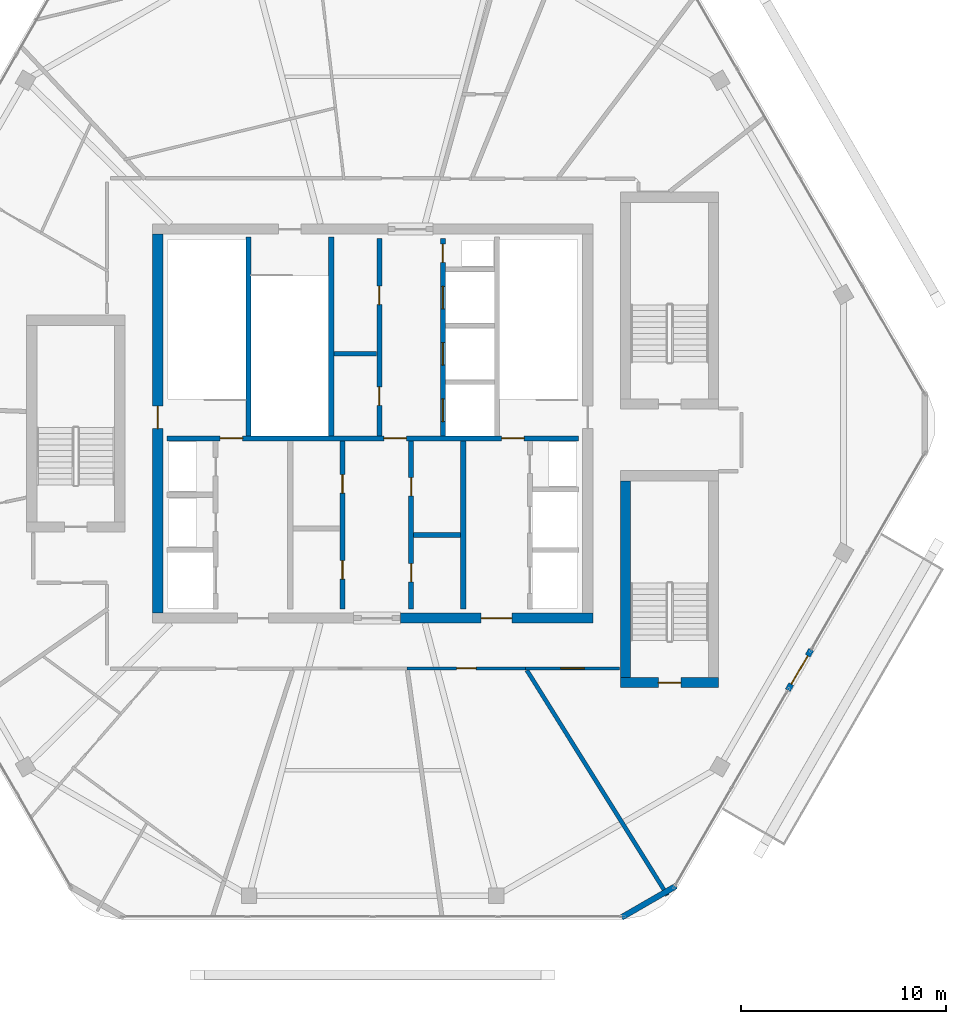
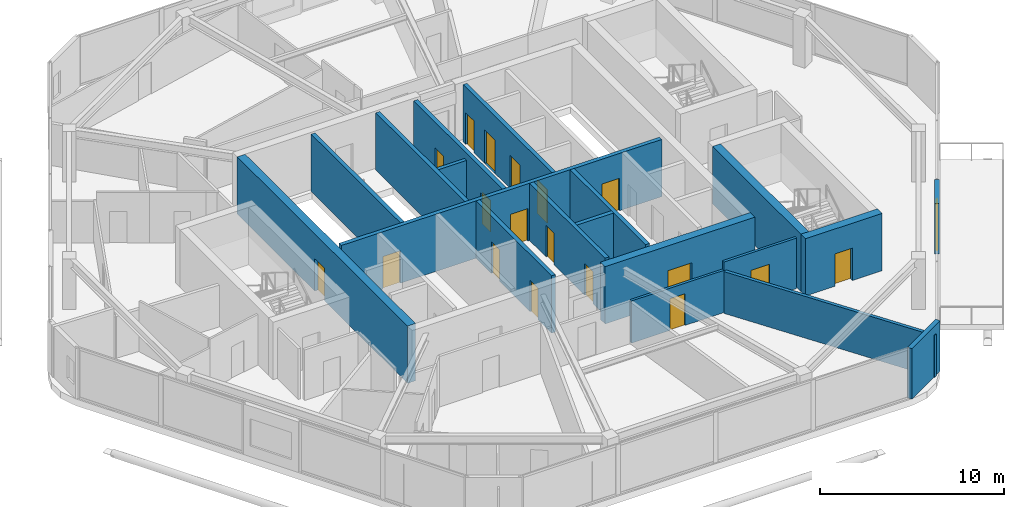
# One storey, part 17 of 22: 19 doors, 19 walls, 19 openings.
"""IFC4 building model written with IfcOpenShell, lengths in metres."""

from ifc_helpers import new_model, si_unit, direction, frame, frame_2d, origin, place, context, subcontext, project, spatial, rectangle, extrude, material, layer, layer_set, type_object, element, fill, save


model = new_model("IFC4")

# Units and contexts
model_context = context("Model", 3, precision=1e-05, world=origin(), true_north=direction((0.0, 1.0)))
body_context = subcontext(model_context, "Body", "Model", "MODEL_VIEW")
ifc_project = project(units=[si_unit("LENGTHUNIT", "METRE"), si_unit("AREAUNIT", "SQUARE_METRE"), si_unit("VOLUMEUNIT", "CUBIC_METRE"), si_unit("PLANEANGLEUNIT", "RADIAN"), si_unit("MASSUNIT", "GRAM", prefix="KILO")], contexts=[model_context])

# Site, building, storey
site_placement = place(None, origin())
site = spatial("IfcSite", under=ifc_project, at=site_placement, CompositionType="ELEMENT")
building_placement = place(site_placement, origin())
building = spatial("IfcBuilding", under=site, at=building_placement, Name="Zuhravey Tower", CompositionType="ELEMENT")
storey_placement = place(building_placement, frame((0.0, 0.0, 357.60009765625)))
storey = spatial("IfcBuildingStorey", under=building, at=storey_placement, Name="L91", CompositionType="ELEMENT", Elevation=357.60009765625)

# Wall, opening, door
ifc_material_1 = material(Name="Concrete C50/60", Category="concrete")
ifc_layer_1 = layer(ifc_material_1, 0.5)
ifc_layer_set_1 = layer_set([ifc_layer_1], Name="Concrete C50/60")
wall_type_1 = type_object("IfcWallType", Name="Core Shear Wall 500", PredefinedType="SHEAR", material=ifc_layer_set_1)
wall_1_placement = place(storey_placement, frame((37.35009765625, 22.5, 0.0), z_axis=(0.0, 0.0, 1.0), x_axis=(1.0, 0.0, 0.0)))
wall_1 = element("IfcWall", 1, at=wall_1_placement, inside=storey, type_object=wall_type_1, Name="L91 South-East Core Shear Wall CW50", PredefinedType="SHEAR", context=body_context, shape_type="SweptSolid", body=[
    extrude(rectangle(XDim=9.39990234375, YDim=0.5, at=frame_2d((4.699951171875, 0.0))), origin(), (0.0, 0.0, 1.0), 3.7998046875),
])
opening_1_placement = place(wall_1_placement, frame((3.949951171875, 0.0, 0.0)))
opening_1 = element("IfcOpeningElement", 2, at=opening_1_placement, cuts=wall_1, Name="Opening FFD1", PredefinedType="OPENING", context=body_context, shape_type="SweptSolid", body=[
    extrude(rectangle(XDim=1.5, YDim=2.14990234375, at=frame_2d((0.75, 1.074951171875))), frame((0.0, 0.261962890625, 0.0), z_axis=(0.0, -1.0, 0.0), x_axis=(1.0, 0.0, 0.0)), (0.0, 0.0, 1.0), 0.52392578125),
])
ifc_material_2 = material(Name="Galvanised fire-rated steel leaf", Category="steel")
door_type_1 = type_object("IfcDoorType", Name="Firefighting Lobby Double Door 1500x2150", OperationType="DOUBLE_DOOR_SINGLE_SWING", PredefinedType="DOOR", material=ifc_material_2)
door_1_placement = place(opening_1_placement, origin())
door_1 = element("IfcDoor", 3, at=door_1_placement, inside=storey, type_object=door_type_1, Name="L91 Firefighting Lobby East Door", OperationType="DOUBLE_DOOR_SINGLE_SWING", OverallHeight=2.14990234375, OverallWidth=1.5, PredefinedType="DOOR", context=body_context, shape_type="SweptSolid", body=[
    extrude(rectangle(XDim=1.5, YDim=2.14990234375, at=frame_2d((0.75, 1.074951171875))), frame((0.0, 0.02490234375, 0.0), z_axis=(0.0, -1.0, 0.0), x_axis=(1.0, 0.0, 0.0)), (0.0, 0.0, 1.0), 0.050048828125),
])
fill(opening_1, door_1)

wall_2_placement = place(storey_placement, frame((25.5, 22.75, 0.0), z_axis=(0.0, 0.0, 1.0), x_axis=(0.0, 1.0, 0.0)))
wall_2 = element("IfcWall", 4, at=wall_2_placement, inside=storey, type_object=wall_type_1, Name="L91 West Core Shear Wall CW50", PredefinedType="SHEAR", context=body_context, shape_type="SweptSolid", body=[
    extrude(rectangle(XDim=18.5, YDim=0.5, at=frame_2d((9.25, 0.0))), origin(), (0.0, 0.0, 1.0), 3.7998046875),
])
opening_2_placement = place(wall_2_placement, frame((9.0, 0.0, 0.0)))
opening_2 = element("IfcOpeningElement", 5, at=opening_2_placement, cuts=wall_2, Name="Opening STD1", PredefinedType="OPENING", context=body_context, shape_type="SweptSolid", body=[
    extrude(rectangle(XDim=1.10009765625, YDim=2.14990234375, at=frame_2d((0.550048828125, 1.074951171875))), frame((0.0, 0.261962890625, 0.0), z_axis=(0.0, -1.0, 0.0), x_axis=(1.0, 0.0, 0.0)), (0.0, 0.0, 1.0), 0.52392578125),
])
door_type_2 = type_object("IfcDoorType", Name="Protected Stair Fire Door 1100x2150", OperationType="NOTDEFINED", PredefinedType="USERDEFINED", material=ifc_material_2)
door_2_placement = place(opening_2_placement, frame((1.10009765625, 0.0, 0.0), z_axis=(0.0, 0.0, 1.0), x_axis=(-1.0, 0.0, 0.0)))
door_2 = element("IfcDoor", 6, at=door_2_placement, inside=storey, type_object=door_type_2, Name="L91 Stair ST1 Door", ObjectType="EXITDOOR", OperationType="SINGLE_SWING_RIGHT", OverallHeight=2.14990234375, OverallWidth=1.10009765625, PredefinedType="USERDEFINED", context=body_context, shape_type="SweptSolid", body=[
    extrude(rectangle(XDim=1.10009765625, YDim=2.14990234375, at=frame_2d((0.550048828125, 1.074951171875))), frame((0.0, 0.02490234375, 0.0), z_axis=(0.0, -1.0, 0.0), x_axis=(1.0, 0.0, 0.0)), (0.0, 0.0, 1.0), 0.050048828125),
])
fill(opening_2, door_2)

wall_3_placement = place(storey_placement, frame((48.10009765625, 19.35009765625, 0.0), z_axis=(0.0, 0.0, 1.0), x_axis=(1.0, 0.0, 0.0)))
wall_3 = element("IfcWall", 7, at=wall_3_placement, inside=storey, type_object=wall_type_1, Name="L91 CST2 South Shaft Wall", PredefinedType="SHEAR", context=body_context, shape_type="SweptSolid", body=[
    extrude(rectangle(XDim=4.7998046875, YDim=0.5, at=frame_2d((2.39990234375, 0.0))), origin(), (0.0, 0.0, 1.0), 3.7998046875),
])
opening_3_placement = place(wall_3_placement, frame((1.85009765625, 0.0, 0.0)))
opening_3 = element("IfcOpeningElement", 8, at=opening_3_placement, cuts=wall_3, Name="Opening STD1", PredefinedType="OPENING", context=body_context, shape_type="SweptSolid", body=[
    extrude(rectangle(XDim=1.10009765625, YDim=2.14990234375, at=frame_2d((0.550048828125, 1.074951171875))), frame((0.0, 0.261962890625, 0.0), z_axis=(0.0, -1.0, 0.0), x_axis=(1.0, 0.0, 0.0)), (0.0, 0.0, 1.0), 0.52392578125),
])
door_3_placement = place(opening_3_placement, origin())
door_3 = element("IfcDoor", 9, at=door_3_placement, inside=storey, type_object=door_type_2, Name="L91 CST2 Transfer Door", ObjectType="EXITDOOR", OperationType="SINGLE_SWING_RIGHT", OverallHeight=2.14990234375, OverallWidth=1.10009765625, PredefinedType="USERDEFINED", context=body_context, shape_type="SweptSolid", body=[
    extrude(rectangle(XDim=1.10009765625, YDim=2.14990234375, at=frame_2d((0.550048828125, 1.074951171875))), frame((0.0, 0.02490234375, 0.0), z_axis=(0.0, -1.0, 0.0), x_axis=(1.0, 0.0, 0.0)), (0.0, 0.0, 1.0), 0.050048828125),
])
fill(opening_3, door_3)

# Wall
wall_4_placement = place(storey_placement, frame((48.35009765625, 19.60009765625, 0.0), z_axis=(0.0, 0.0, 1.0), x_axis=(0.0, 1.0, 0.0)))
element("IfcWall", 10, at=wall_4_placement, inside=storey, type_object=wall_type_1, Name="L91 CST2 West Shaft Wall", PredefinedType="SHEAR", context=body_context, shape_type="SweptSolid", body=[
    extrude(rectangle(XDim=9.599853515625, YDim=0.5, at=frame_2d((4.7998046875, 0.0))), origin(), (0.0, 0.0, 1.0), 3.7998046875),
])

# Wall, opening, door
ifc_material_3 = material(Name="Gypsum fire-rated stud partition")
ifc_layer_2 = layer(ifc_material_3, 0.159912109375)
ifc_layer_set_2 = layer_set([ifc_layer_2], Name="Gypsum fire-rated stud partition")
wall_type_2 = type_object("IfcWallType", Name="Corridor Fire Partition 160", PredefinedType="PARTITIONING", material=ifc_layer_set_2)
wall_5_placement = place(storey_placement, frame((43.473388671875, 20.0400390625, 0.0), z_axis=(0.0, 0.0, 1.0), x_axis=(1.0, 0.0, 0.0)))
wall_5 = element("IfcWall", 11, at=wall_5_placement, inside=storey, type_object=wall_type_2, Name="L91 IW16 Partition 021", PredefinedType="PARTITIONING", context=body_context, shape_type="SweptSolid", body=[
    extrude(rectangle(XDim=4.57666015625, YDim=0.159912109375, at=frame_2d((2.288330078125, 0.0))), origin(), (0.0, 0.0, 1.0), 3.349853515625),
])
opening_4_placement = place(wall_5_placement, frame((1.71337890625, 0.0, 0.0)))
opening_4 = element("IfcOpeningElement", 12, at=opening_4_placement, cuts=wall_5, Name="Opening CLD1", PredefinedType="OPENING", context=body_context, shape_type="SweptSolid", body=[
    extrude(rectangle(XDim=1.14990234375, YDim=2.199951171875, at=frame_2d((0.574951171875, 1.10009765625))), frame((0.0, 0.092041015625, 0.0), z_axis=(0.0, -1.0, 0.0), x_axis=(1.0, 0.0, 0.0)), (0.0, 0.0, 1.0), 0.183837890625),
])
ifc_material_4 = material(Name="Acoustic timber leaf with vision lite", Category="wood")
door_type_3 = type_object("IfcDoorType", Name="Classroom Acoustic Door 1150x2200", OperationType="NOTDEFINED", PredefinedType="DOOR", material=ifc_material_4)
door_4_placement = place(opening_4_placement, origin())
door_4 = element("IfcDoor", 13, at=door_4_placement, inside=storey, type_object=door_type_3, Name="L91 Door 021.1", OperationType="SINGLE_SWING_LEFT", OverallHeight=2.199951171875, OverallWidth=1.14990234375, PredefinedType="DOOR", context=body_context, shape_type="SweptSolid", body=[
    extrude(rectangle(XDim=1.14990234375, YDim=2.199951171875, at=frame_2d((0.574951171875, 1.10009765625))), frame((0.0, 0.02490234375, 0.0), z_axis=(0.0, -1.0, 0.0), x_axis=(1.0, 0.0, 0.0)), (0.0, 0.0, 1.0), 0.050048828125),
])
fill(opening_4, door_4)

wall_6_placement = place(storey_placement, frame((37.680908203125, 20.0400390625, 0.0), z_axis=(0.0, 0.0, 1.0), x_axis=(1.0, 0.0, 0.0)))
wall_6 = element("IfcWall", 14, at=wall_6_placement, inside=storey, type_object=wall_type_2, Name="L91 IW16 Partition 044", PredefinedType="PARTITIONING", context=body_context, shape_type="SweptSolid", body=[
    extrude(rectangle(XDim=5.79248046875, YDim=0.159912109375, at=frame_2d((2.896240234375, 0.0))), origin(), (0.0, 0.0, 1.0), 2.7998046875),
])
opening_5_placement = place(wall_6_placement, frame((2.421142578125, 0.0, 0.0)))
opening_5 = element("IfcOpeningElement", 15, at=opening_5_placement, cuts=wall_6, Name="Opening IND1", PredefinedType="OPENING", context=body_context, shape_type="SweptSolid", body=[
    extrude(rectangle(XDim=0.949951171875, YDim=2.10009765625, at=frame_2d((0.47509765625, 1.050048828125))), frame((0.0, 0.092041015625, 0.0), z_axis=(0.0, -1.0, 0.0), x_axis=(1.0, 0.0, 0.0)), (0.0, 0.0, 1.0), 0.183837890625),
])
ifc_material_5 = material(Name="Painted engineered timber leaf", Category="wood")
door_type_4 = type_object("IfcDoorType", Name="Internal Room & Bedroom Door 950x2100", OperationType="NOTDEFINED", PredefinedType="DOOR", material=ifc_material_5)
door_5_placement = place(opening_5_placement, frame((0.949951171875, 0.0, 0.0), z_axis=(0.0, 0.0, 1.0), x_axis=(-1.0, 0.0, 0.0)))
door_5 = element("IfcDoor", 16, at=door_5_placement, inside=storey, type_object=door_type_4, Name="L91 Door 044.1", OperationType="SINGLE_SWING_LEFT", OverallHeight=2.10009765625, OverallWidth=0.949951171875, PredefinedType="DOOR", context=body_context, shape_type="SweptSolid", body=[
    extrude(rectangle(XDim=0.949951171875, YDim=2.10009765625, at=frame_2d((0.47509765625, 1.050048828125))), frame((0.0, 0.02490234375, 0.0), z_axis=(0.0, -1.0, 0.0), x_axis=(1.0, 0.0, 0.0)), (0.0, 0.0, 1.0), 0.050048828125),
])
fill(opening_5, door_5)

ifc_material_6 = material(Name="Precast concrete C40/50", Category="concrete")
ifc_layer_3 = layer(ifc_material_6, 0.280029296875)
ifc_layer_set_3 = layer_set([ifc_layer_3], Name="Precast concrete C40/50")
wall_type_3 = type_object("IfcWallType", Name="Crown Architectural Wall 280", PredefinedType="SOLIDWALL", material=ifc_layer_set_3)
wall_7_placement = place(storey_placement, frame((57.42138671875, 20.95458984375, 0.0), z_axis=(0.0, 0.0, 1.0), x_axis=(-0.499968531483, -0.866043571379, 0.0)))
wall_7 = element("IfcWall", 17, at=wall_7_placement, inside=storey, type_object=wall_type_3, Name="L91 Face 6 Facade Pier EW28-1", PredefinedType="SOLIDWALL", context=body_context, shape_type="SweptSolid", body=[
    extrude(rectangle(XDim=2.290283203125, YDim=0.280029296875, at=frame_2d((1.14501953125, 0.0))), origin(), (0.0, 0.0, 1.0), 3.349853515625),
])
opening_6_placement = place(wall_7_placement, frame((0.344970703125, 0.0, 0.0)))
opening_6 = element("IfcOpeningElement", 18, at=opening_6_placement, cuts=wall_7, Name="Opening SPD1", PredefinedType="OPENING", context=body_context, shape_type="SweptSolid", body=[
    extrude(rectangle(XDim=1.60009765625, YDim=2.300048828125, at=frame_2d((0.800048828125, 1.14990234375))), frame((0.0, 0.152099609375, 0.0), z_axis=(0.0, -1.0, 0.0), x_axis=(1.0, 0.0, 0.0)), (0.0, 0.0, 1.0), 0.303955078125),
])
ifc_material_7 = material(Name="Thermally broken aluminium and low-E glass", Category="aluminium")
door_type_5 = type_object("IfcDoorType", Name="Sky-Pool Terrace Double Door 1600x2300", OperationType="DOUBLE_DOOR_SINGLE_SWING", PredefinedType="DOOR", material=ifc_material_7)
door_6_placement = place(opening_6_placement, frame((1.60009765625, 0.0, 0.0), z_axis=(0.0, 0.0, 1.0), x_axis=(-1.0, 0.0, 0.0)))
door_6 = element("IfcDoor", 19, at=door_6_placement, inside=storey, type_object=door_type_5, Name="L91 Upper Sky-Pool Viewing Salon Terrace Door", OperationType="DOUBLE_DOOR_SINGLE_SWING", OverallHeight=2.300048828125, OverallWidth=1.60009765625, PredefinedType="DOOR", context=body_context, shape_type="SweptSolid", body=[
    extrude(rectangle(XDim=1.60009765625, YDim=2.300048828125, at=frame_2d((0.800048828125, 1.14990234375))), frame((0.0, 0.02490234375, 0.0), z_axis=(0.0, -1.0, 0.0), x_axis=(1.0, 0.0, 0.0)), (0.0, 0.0, 1.0), 0.050048828125),
])
fill(opening_6, door_6)

# Wall
wall_8_placement = place(storey_placement, frame((50.811279296875, 9.410888671875, 0.0), z_axis=(0.0, 0.0, 1.0), x_axis=(-0.866023752521, -0.50000286006, 0.0)))
element("IfcWall", 20, at=wall_8_placement, inside=storey, type_object=wall_type_3, Name="L91 Rounded Corner Closure Wall EW28-02", PredefinedType="SOLIDWALL", context=body_context, shape_type="SweptSolid", body=[
    extrude(rectangle(XDim=3.06494140625, YDim=0.280029296875, at=frame_2d((1.532470703125, 0.0))), origin(), (0.0, 0.0, 1.0), 3.349853515625),
])

# Wall, openings, doors
ifc_layer_4 = layer(ifc_material_1, 0.25)
ifc_layer_set_4 = layer_set([ifc_layer_4], Name="Concrete C50/60")
wall_type_4 = type_object("IfcWallType", Name="Firefighting Shaft & Stair Wall 250", PredefinedType="SOLIDWALL", material=ifc_layer_set_4)
wall_9_placement = place(storey_placement, frame((25.949951171875, 31.27490234375, 0.0), z_axis=(0.0, 0.0, 1.0), x_axis=(1.0, 0.0, 0.0)))
wall_9 = element("IfcWall", 21, at=wall_9_placement, inside=storey, type_object=wall_type_4, Name="L91 FW25 Shaft Wall 003", PredefinedType="SOLIDWALL", context=body_context, shape_type="SweptSolid", body=[
    extrude(rectangle(XDim=20.10009765625, YDim=0.25, at=frame_2d((10.050048828125, 0.0))), origin(), (0.0, 0.0, 1.0), 3.7998046875),
])
opening_7_placement = place(wall_9_placement, frame((2.60009765625, 0.0, 0.0)))
opening_7 = element("IfcOpeningElement", 22, at=opening_7_placement, cuts=wall_9, Name="Opening STD1", PredefinedType="OPENING", context=body_context, shape_type="SweptSolid", body=[
    extrude(rectangle(XDim=1.10009765625, YDim=2.14990234375, at=frame_2d((0.550048828125, 1.074951171875))), frame((0.0, 0.136962890625, 0.0), z_axis=(0.0, -1.0, 0.0), x_axis=(1.0, 0.0, 0.0)), (0.0, 0.0, 1.0), 0.27392578125),
])
opening_8_placement = place(wall_9_placement, frame((10.60009765625, 0.0, 0.0)))
opening_8 = element("IfcOpeningElement", 23, at=opening_8_placement, cuts=wall_9, Name="Opening STD1", PredefinedType="OPENING", context=body_context, shape_type="SweptSolid", body=[
    extrude(rectangle(XDim=1.10009765625, YDim=2.14990234375, at=frame_2d((0.550048828125, 1.074951171875))), frame((0.0, 0.136962890625, 0.0), z_axis=(0.0, -1.0, 0.0), x_axis=(1.0, 0.0, 0.0)), (0.0, 0.0, 1.0), 0.27392578125),
])
opening_9_placement = place(wall_9_placement, frame((16.35009765625, 0.0, 0.0)))
opening_9 = element("IfcOpeningElement", 24, at=opening_9_placement, cuts=wall_9, Name="Opening STD1", PredefinedType="OPENING", context=body_context, shape_type="SweptSolid", body=[
    extrude(rectangle(XDim=1.10009765625, YDim=2.14990234375, at=frame_2d((0.550048828125, 1.074951171875))), frame((0.0, 0.136962890625, 0.0), z_axis=(0.0, -1.0, 0.0), x_axis=(1.0, 0.0, 0.0)), (0.0, 0.0, 1.0), 0.27392578125),
])
door_7_placement = place(opening_7_placement, origin())
door_7 = element("IfcDoor", 25, at=door_7_placement, inside=storey, type_object=door_type_2, Name="L91 FFL-W to ST1 Door", ObjectType="EXITDOOR", OperationType="SINGLE_SWING_RIGHT", OverallHeight=2.14990234375, OverallWidth=1.10009765625, PredefinedType="USERDEFINED", context=body_context, shape_type="SweptSolid", body=[
    extrude(rectangle(XDim=1.10009765625, YDim=2.14990234375, at=frame_2d((0.550048828125, 1.074951171875))), frame((0.0, 0.02490234375, 0.0), z_axis=(0.0, -1.0, 0.0), x_axis=(1.0, 0.0, 0.0)), (0.0, 0.0, 1.0), 0.050048828125),
])
fill(opening_7, door_7)
door_8_placement = place(opening_8_placement, origin())
door_8 = element("IfcDoor", 26, at=door_8_placement, inside=storey, type_object=door_type_2, Name="L91 Core Lobby Link Door", ObjectType="EXITDOOR", OperationType="SINGLE_SWING_LEFT", OverallHeight=2.14990234375, OverallWidth=1.10009765625, PredefinedType="USERDEFINED", context=body_context, shape_type="SweptSolid", body=[
    extrude(rectangle(XDim=1.10009765625, YDim=2.14990234375, at=frame_2d((0.550048828125, 1.074951171875))), frame((0.0, 0.02490234375, 0.0), z_axis=(0.0, -1.0, 0.0), x_axis=(1.0, 0.0, 0.0)), (0.0, 0.0, 1.0), 0.050048828125),
])
fill(opening_8, door_8)
door_9_placement = place(opening_9_placement, origin())
door_9 = element("IfcDoor", 27, at=door_9_placement, inside=storey, type_object=door_type_2, Name="L91 FFL-E to ST2 Door", ObjectType="EXITDOOR", OperationType="SINGLE_SWING_RIGHT", OverallHeight=2.14990234375, OverallWidth=1.10009765625, PredefinedType="USERDEFINED", context=body_context, shape_type="SweptSolid", body=[
    extrude(rectangle(XDim=1.10009765625, YDim=2.14990234375, at=frame_2d((0.550048828125, 1.074951171875))), frame((0.0, 0.02490234375, 0.0), z_axis=(0.0, -1.0, 0.0), x_axis=(1.0, 0.0, 0.0)), (0.0, 0.0, 1.0), 0.050048828125),
])
fill(opening_9, door_9)

# Walls
for number, where, z_axis, x_axis, name in (
    (28, (29.925048828125, 31.39990234375, 0.0), (0.0, 0.0, 1.0), (0.0, 1.0, 0.0), "L91 FW25 Shaft Wall 004"),
    (29, (33.97509765625, 31.39990234375, 0.0), (0.0, 0.0, 1.0), (0.0, 1.0, 0.0), "L91 FW25 Shaft Wall 005"),
):
    element("IfcWall", number, at=place(storey_placement, frame(where, z_axis=z_axis, x_axis=x_axis)), inside=storey, type_object=wall_type_4, Name=name, PredefinedType="SOLIDWALL", context=body_context, shape_type="SweptSolid", body=[
        extrude(rectangle(XDim=9.7001953125, YDim=0.25, at=frame_2d((4.85009765625, 0.0))), origin(), (0.0, 0.0, 1.0), 3.7998046875),
    ])

# Wall, openings, doors
wall_10_placement = place(storey_placement, frame((36.324951171875, 31.39990234375, 0.0), z_axis=(0.0, 0.0, 1.0), x_axis=(0.0, 1.0, 0.0)))
wall_10 = element("IfcWall", 30, at=wall_10_placement, inside=storey, type_object=wall_type_4, Name="L91 FW25 Shaft Wall 007", PredefinedType="SOLIDWALL", context=body_context, shape_type="SweptSolid", body=[
    extrude(rectangle(XDim=9.650146484375, YDim=0.25, at=frame_2d((4.8251953125, 0.0))), origin(), (0.0, 0.0, 1.0), 3.7998046875),
])
opening_10_placement = place(wall_10_placement, frame((1.489990234375, 0.0, 0.0)))
opening_10 = element("IfcOpeningElement", 31, at=opening_10_placement, cuts=wall_10, Name="Opening RSD1", PredefinedType="OPENING", context=body_context, shape_type="SweptSolid", body=[
    extrude(rectangle(XDim=0.89990234375, YDim=2.10009765625, at=frame_2d((0.449951171875, 1.050048828125))), frame((0.0, 0.136962890625, 0.0), z_axis=(0.0, -1.0, 0.0), x_axis=(1.0, 0.0, 0.0)), (0.0, 0.0, 1.0), 0.27392578125),
])
opening_11_placement = place(wall_10_placement, frame((6.409912109375, 0.0, 0.0)))
opening_11 = element("IfcOpeningElement", 32, at=opening_11_placement, cuts=wall_10, Name="Opening RSD1", PredefinedType="OPENING", context=body_context, shape_type="SweptSolid", body=[
    extrude(rectangle(XDim=0.89990234375, YDim=2.10009765625, at=frame_2d((0.449951171875, 1.050048828125))), frame((0.0, 0.136962890625, 0.0), z_axis=(0.0, -1.0, 0.0), x_axis=(1.0, 0.0, 0.0)), (0.0, 0.0, 1.0), 0.27392578125),
])
ifc_material_8 = material(Name="Galvanised fire-rated steel access leaf", Category="steel")
door_type_6 = type_object("IfcDoorType", Name="Riser & Shaft Access Fire Door 900x2100", OperationType="NOTDEFINED", PredefinedType="DOOR", material=ifc_material_8)
door_10_placement = place(opening_10_placement, origin())
door_10 = element("IfcDoor", 33, at=door_10_placement, inside=storey, type_object=door_type_6, Name="L91 Core Cleaner Store Door", OperationType="SINGLE_SWING_LEFT", OverallHeight=2.10009765625, OverallWidth=0.89990234375, PredefinedType="DOOR", context=body_context, shape_type="SweptSolid", body=[
    extrude(rectangle(XDim=0.89990234375, YDim=2.10009765625, at=frame_2d((0.449951171875, 1.050048828125))), frame((0.0, 0.02490234375, 0.0), z_axis=(0.0, -1.0, 0.0), x_axis=(1.0, 0.0, 0.0)), (0.0, 0.0, 1.0), 0.050048828125),
])
fill(opening_10, door_10)
door_11_placement = place(opening_11_placement, origin())
door_11 = element("IfcDoor", 34, at=door_11_placement, inside=storey, type_object=door_type_6, Name="L91 Core Pantry and Tea Room Door", OperationType="SINGLE_SWING_RIGHT", OverallHeight=2.10009765625, OverallWidth=0.89990234375, PredefinedType="DOOR", context=body_context, shape_type="SweptSolid", body=[
    extrude(rectangle(XDim=0.89990234375, YDim=2.10009765625, at=frame_2d((0.449951171875, 1.050048828125))), frame((0.0, 0.02490234375, 0.0), z_axis=(0.0, -1.0, 0.0), x_axis=(1.0, 0.0, 0.0)), (0.0, 0.0, 1.0), 0.050048828125),
])
fill(opening_11, door_11)

wall_11_placement = place(storey_placement, frame((39.425048828125, 31.39990234375, 0.0), z_axis=(0.0, 0.0, 1.0), x_axis=(0.0, 1.0, 0.0)))
wall_11 = element("IfcWall", 35, at=wall_11_placement, inside=storey, type_object=wall_type_4, Name="L91 FW25 Shaft Wall 008", PredefinedType="SOLIDWALL", context=body_context, shape_type="SweptSolid", body=[
    extrude(rectangle(XDim=9.650146484375, YDim=0.25, at=frame_2d((4.8251953125, 0.0))), origin(), (0.0, 0.0, 1.0), 3.7998046875),
])
opening_12_placement = place(wall_11_placement, frame((0.699951171875, 0.0, 0.0)))
opening_12 = element("IfcOpeningElement", 36, at=opening_12_placement, cuts=wall_11, Name="Opening LD1", PredefinedType="OPENING", context=body_context, shape_type="SweptSolid", body=[
    extrude(rectangle(XDim=1.10009765625, YDim=2.199951171875, at=frame_2d((0.550048828125, 1.10009765625))), frame((0.0, 0.136962890625, 0.0), z_axis=(0.0, -1.0, 0.0), x_axis=(1.0, 0.0, 0.0)), (0.0, 0.0, 1.0), 0.27392578125),
])
opening_13_placement = place(wall_11_placement, frame((3.449951171875, 0.0, 0.0)))
opening_13 = element("IfcOpeningElement", 37, at=opening_13_placement, cuts=wall_11, Name="Opening LD1", PredefinedType="OPENING", context=body_context, shape_type="SweptSolid", body=[
    extrude(rectangle(XDim=1.10009765625, YDim=2.199951171875, at=frame_2d((0.550048828125, 1.10009765625))), frame((0.0, 0.136962890625, 0.0), z_axis=(0.0, -1.0, 0.0), x_axis=(1.0, 0.0, 0.0)), (0.0, 0.0, 1.0), 0.27392578125),
])
opening_14_placement = place(wall_11_placement, frame((6.199951171875, 0.0, 0.0)))
opening_14 = element("IfcOpeningElement", 38, at=opening_14_placement, cuts=wall_11, Name="Opening LD1", PredefinedType="OPENING", context=body_context, shape_type="SweptSolid", body=[
    extrude(rectangle(XDim=1.10009765625, YDim=2.199951171875, at=frame_2d((0.550048828125, 1.10009765625))), frame((0.0, 0.136962890625, 0.0), z_axis=(0.0, -1.0, 0.0), x_axis=(1.0, 0.0, 0.0)), (0.0, 0.0, 1.0), 0.27392578125),
])
opening_15_placement = place(wall_11_placement, frame((8.469970703125, 0.0, 0.0)))
opening_15 = element("IfcOpeningElement", 39, at=opening_15_placement, cuts=wall_11, Name="Opening RSD1", PredefinedType="OPENING", context=body_context, shape_type="SweptSolid", body=[
    extrude(rectangle(XDim=0.89990234375, YDim=2.10009765625, at=frame_2d((0.449951171875, 1.050048828125))), frame((0.0, 0.136962890625, 0.0), z_axis=(0.0, -1.0, 0.0), x_axis=(1.0, 0.0, 0.0)), (0.0, 0.0, 1.0), 0.27392578125),
])
ifc_material_9 = material(Name="Brushed stainless steel", Category="steel")
door_type_7 = type_object("IfcDoorType", Name="Lift Landing Sliding Door 1100x2200", OperationType="DOUBLE_DOOR_SLIDING", PredefinedType="DOOR", material=ifc_material_9)
door_12_placement = place(opening_12_placement, origin())
door_12 = element("IfcDoor", 40, at=door_12_placement, inside=storey, type_object=door_type_7, Name="L91 Lift PL7 Landing Door", OperationType="DOUBLE_DOOR_SLIDING", OverallHeight=2.199951171875, OverallWidth=1.10009765625, PredefinedType="DOOR", context=body_context, shape_type="SweptSolid", body=[
    extrude(rectangle(XDim=1.10009765625, YDim=2.199951171875, at=frame_2d((0.550048828125, 1.10009765625))), frame((0.0, 0.02490234375, 0.0), z_axis=(0.0, -1.0, 0.0), x_axis=(1.0, 0.0, 0.0)), (0.0, 0.0, 1.0), 0.050048828125),
])
fill(opening_12, door_12)
door_13_placement = place(opening_13_placement, origin())
door_13 = element("IfcDoor", 41, at=door_13_placement, inside=storey, type_object=door_type_7, Name="L91 Lift PL8 Landing Door", OperationType="DOUBLE_DOOR_SLIDING", OverallHeight=2.199951171875, OverallWidth=1.10009765625, PredefinedType="DOOR", context=body_context, shape_type="SweptSolid", body=[
    extrude(rectangle(XDim=1.10009765625, YDim=2.199951171875, at=frame_2d((0.550048828125, 1.10009765625))), frame((0.0, 0.02490234375, 0.0), z_axis=(0.0, -1.0, 0.0), x_axis=(1.0, 0.0, 0.0)), (0.0, 0.0, 1.0), 0.050048828125),
])
fill(opening_13, door_13)
door_14_placement = place(opening_14_placement, origin())
door_14 = element("IfcDoor", 42, at=door_14_placement, inside=storey, type_object=door_type_7, Name="L91 Lift PL9 Landing Door", OperationType="DOUBLE_DOOR_SLIDING", OverallHeight=2.199951171875, OverallWidth=1.10009765625, PredefinedType="DOOR", context=body_context, shape_type="SweptSolid", body=[
    extrude(rectangle(XDim=1.10009765625, YDim=2.199951171875, at=frame_2d((0.550048828125, 1.10009765625))), frame((0.0, 0.02490234375, 0.0), z_axis=(0.0, -1.0, 0.0), x_axis=(1.0, 0.0, 0.0)), (0.0, 0.0, 1.0), 0.050048828125),
])
fill(opening_14, door_14)
door_15_placement = place(opening_15_placement, origin())
door_15 = element("IfcDoor", 43, at=door_15_placement, inside=storey, type_object=door_type_6, Name="L91 North Riser Door", OperationType="SINGLE_SWING_LEFT", OverallHeight=2.10009765625, OverallWidth=0.89990234375, PredefinedType="DOOR", context=body_context, shape_type="SweptSolid", body=[
    extrude(rectangle(XDim=0.89990234375, YDim=2.10009765625, at=frame_2d((0.449951171875, 1.050048828125))), frame((0.0, 0.02490234375, 0.0), z_axis=(0.0, -1.0, 0.0), x_axis=(1.0, 0.0, 0.0)), (0.0, 0.0, 1.0), 0.050048828125),
])
fill(opening_15, door_15)

wall_12_placement = place(storey_placement, frame((34.52490234375, 22.949951171875, 0.0), z_axis=(0.0, 0.0, 1.0), x_axis=(0.0, 1.0, 0.0)))
wall_12 = element("IfcWall", 44, at=wall_12_placement, inside=storey, type_object=wall_type_4, Name="L91 FW25 Shaft Wall 014", PredefinedType="SOLIDWALL", context=body_context, shape_type="SweptSolid", body=[
    extrude(rectangle(XDim=8.199951171875, YDim=0.25, at=frame_2d((4.10009765625, 0.0))), origin(), (0.0, 0.0, 1.0), 3.7998046875),
])
opening_16_placement = place(wall_12_placement, frame((1.449951171875, 0.0, 0.0)))
opening_16 = element("IfcOpeningElement", 45, at=opening_16_placement, cuts=wall_12, Name="Opening RSD1", PredefinedType="OPENING", context=body_context, shape_type="SweptSolid", body=[
    extrude(rectangle(XDim=0.89990234375, YDim=2.10009765625, at=frame_2d((0.449951171875, 1.050048828125))), frame((0.0, 0.136962890625, 0.0), z_axis=(0.0, -1.0, 0.0), x_axis=(1.0, 0.0, 0.0)), (0.0, 0.0, 1.0), 0.27392578125),
])
opening_17_placement = place(wall_12_placement, frame((5.64990234375, 0.0, 0.0)))
opening_17 = element("IfcOpeningElement", 46, at=opening_17_placement, cuts=wall_12, Name="Opening RSD1", PredefinedType="OPENING", context=body_context, shape_type="SweptSolid", body=[
    extrude(rectangle(XDim=0.89990234375, YDim=2.10009765625, at=frame_2d((0.449951171875, 1.050048828125))), frame((0.0, 0.136962890625, 0.0), z_axis=(0.0, -1.0, 0.0), x_axis=(1.0, 0.0, 0.0)), (0.0, 0.0, 1.0), 0.27392578125),
])
door_16_placement = place(opening_16_placement, origin())
door_16 = element("IfcDoor", 47, at=door_16_placement, inside=storey, type_object=door_type_6, Name="L91 Housekeeping and Linen Room Door", OperationType="SINGLE_SWING_RIGHT", OverallHeight=2.10009765625, OverallWidth=0.89990234375, PredefinedType="DOOR", context=body_context, shape_type="SweptSolid", body=[
    extrude(rectangle(XDim=0.89990234375, YDim=2.10009765625, at=frame_2d((0.449951171875, 1.050048828125))), frame((0.0, 0.02490234375, 0.0), z_axis=(0.0, -1.0, 0.0), x_axis=(1.0, 0.0, 0.0)), (0.0, 0.0, 1.0), 0.050048828125),
])
fill(opening_16, door_16)
door_17_placement = place(opening_17_placement, origin())
door_17 = element("IfcDoor", 48, at=door_17_placement, inside=storey, type_object=door_type_6, Name="L91 Telecoms Switch Closet Door", OperationType="SINGLE_SWING_LEFT", OverallHeight=2.10009765625, OverallWidth=0.89990234375, PredefinedType="DOOR", context=body_context, shape_type="SweptSolid", body=[
    extrude(rectangle(XDim=0.89990234375, YDim=2.10009765625, at=frame_2d((0.449951171875, 1.050048828125))), frame((0.0, 0.02490234375, 0.0), z_axis=(0.0, -1.0, 0.0), x_axis=(1.0, 0.0, 0.0)), (0.0, 0.0, 1.0), 0.050048828125),
])
fill(opening_17, door_17)

# Wall
wall_13_placement = place(storey_placement, frame((38.0, 26.550048828125, 0.0), z_axis=(0.0, 0.0, 1.0), x_axis=(1.0, 0.0, 0.0)))
element("IfcWall", 49, at=wall_13_placement, inside=storey, type_object=wall_type_4, Name="L91 FW25 Shaft Wall 015", PredefinedType="SOLIDWALL", context=body_context, shape_type="SweptSolid", body=[
    extrude(rectangle(XDim=2.300048828125, YDim=0.25, at=frame_2d((1.14990234375, 0.0))), origin(), (0.0, 0.0, 1.0), 3.7998046875),
])

# Wall, openings, doors
wall_14_placement = place(storey_placement, frame((37.875, 22.949951171875, 0.0), z_axis=(0.0, 0.0, 1.0), x_axis=(0.0, 1.0, 0.0)))
wall_14 = element("IfcWall", 50, at=wall_14_placement, inside=storey, type_object=wall_type_4, Name="L91 FW25 Shaft Wall 016", PredefinedType="SOLIDWALL", context=body_context, shape_type="SweptSolid", body=[
    extrude(rectangle(XDim=8.199951171875, YDim=0.25, at=frame_2d((4.10009765625, 0.0))), origin(), (0.0, 0.0, 1.0), 3.7998046875),
])
opening_18_placement = place(wall_14_placement, frame((1.3125, 0.0, 0.0)))
opening_18 = element("IfcOpeningElement", 51, at=opening_18_placement, cuts=wall_14, Name="Opening RSD1", PredefinedType="OPENING", context=body_context, shape_type="SweptSolid", body=[
    extrude(rectangle(XDim=0.89990234375, YDim=2.10009765625, at=frame_2d((0.449951171875, 1.050048828125))), frame((0.0, 0.136962890625, 0.0), z_axis=(0.0, -1.0, 0.0), x_axis=(1.0, 0.0, 0.0)), (0.0, 0.0, 1.0), 0.27392578125),
])
opening_19_placement = place(wall_14_placement, frame((5.512451171875, 0.0, 0.0)))
opening_19 = element("IfcOpeningElement", 52, at=opening_19_placement, cuts=wall_14, Name="Opening RSD1", PredefinedType="OPENING", context=body_context, shape_type="SweptSolid", body=[
    extrude(rectangle(XDim=0.89990234375, YDim=2.10009765625, at=frame_2d((0.449951171875, 1.050048828125))), frame((0.0, 0.136962890625, 0.0), z_axis=(0.0, -1.0, 0.0), x_axis=(1.0, 0.0, 0.0)), (0.0, 0.0, 1.0), 0.27392578125),
])
door_18_placement = place(opening_18_placement, frame((0.89990234375, 0.0, 0.0), z_axis=(0.0, 0.0, 1.0), x_axis=(-1.0, 0.0, 0.0)))
door_18 = element("IfcDoor", 53, at=door_18_placement, inside=storey, type_object=door_type_6, Name="L91 Trunk Store Door", OperationType="SINGLE_SWING_RIGHT", OverallHeight=2.10009765625, OverallWidth=0.89990234375, PredefinedType="DOOR", context=body_context, shape_type="SweptSolid", body=[
    extrude(rectangle(XDim=0.89990234375, YDim=2.10009765625, at=frame_2d((0.449951171875, 1.050048828125))), frame((0.0, 0.02490234375, 0.0), z_axis=(0.0, -1.0, 0.0), x_axis=(1.0, 0.0, 0.0)), (0.0, 0.0, 1.0), 0.050048828125),
])
fill(opening_18, door_18)
door_19_placement = place(opening_19_placement, frame((0.89990234375, 0.0, 0.0), z_axis=(0.0, 0.0, 1.0), x_axis=(-1.0, 0.0, 0.0)))
door_19 = element("IfcDoor", 54, at=door_19_placement, inside=storey, type_object=door_type_6, Name="L91 Fiber Room Door", OperationType="SINGLE_SWING_LEFT", OverallHeight=2.10009765625, OverallWidth=0.89990234375, PredefinedType="DOOR", context=body_context, shape_type="SweptSolid", body=[
    extrude(rectangle(XDim=0.89990234375, YDim=2.10009765625, at=frame_2d((0.449951171875, 1.050048828125))), frame((0.0, 0.02490234375, 0.0), z_axis=(0.0, -1.0, 0.0), x_axis=(1.0, 0.0, 0.0)), (0.0, 0.0, 1.0), 0.050048828125),
])
fill(opening_19, door_19)

# Walls
wall_15_placement = place(storey_placement, frame((40.425048828125, 22.949951171875, 0.0), z_axis=(0.0, 0.0, 1.0), x_axis=(0.0, 1.0, 0.0)))
element("IfcWall", 55, at=wall_15_placement, inside=storey, type_object=wall_type_4, Name="L91 FW25 Shaft Wall 017", PredefinedType="SOLIDWALL", context=body_context, shape_type="SweptSolid", body=[
    extrude(rectangle(XDim=8.199951171875, YDim=0.25, at=frame_2d((4.10009765625, 0.0))), origin(), (0.0, 0.0, 1.0), 3.7998046875),
])
ifc_material_10 = material(Name="Gypsum double-stud party assembly")
ifc_layer_5 = layer(ifc_material_10, 0.199951171875)
ifc_layer_set_5 = layer_set([ifc_layer_5], Name="Gypsum double-stud party assembly")
wall_type_5 = type_object("IfcWallType", Name="Inter-Tenancy Party Wall 200", PredefinedType="PARTITIONING", material=ifc_layer_set_5)
wall_16_placement = place(storey_placement, frame((43.5283203125, 19.951904296875, 0.0), z_axis=(0.0, 0.0, 1.0), x_axis=(0.529929518021, -0.848041688793, 0.0)))
element("IfcWall", 56, at=wall_16_placement, inside=storey, type_object=wall_type_5, Name="L91 IW20 Partition 049", PredefinedType="PARTITIONING", context=body_context, shape_type="SweptSolid", body=[
    extrude(rectangle(XDim=12.9609375, YDim=0.199951171875, at=frame_2d((6.48046875, 0.0))), origin(), (0.0, 0.0, 1.0), 2.77001953125),
])
ifc_material_11 = material(Name="Gypsum acoustic stud assembly")
ifc_layer_6 = layer(ifc_material_11, 0.219970703125)
ifc_layer_set_6 = layer_set([ifc_layer_6], Name="Gypsum acoustic stud assembly")
wall_type_6 = type_object("IfcWallType", Name="School Acoustic Compartment Wall 220", PredefinedType="PARTITIONING", material=ifc_layer_set_6)
wall_17_placement = place(storey_placement, frame((34.10791015625, 35.39990234375, 0.0), z_axis=(0.0, 0.0, 1.0), x_axis=(1.0, 0.0, 0.0)))
element("IfcWall", 57, at=wall_17_placement, inside=storey, type_object=wall_type_6, Name="L91 IW22 Partition 045", PredefinedType="PARTITIONING", context=body_context, shape_type="SweptSolid", body=[
    extrude(rectangle(XDim=2.083984375, YDim=0.219970703125, at=frame_2d((1.0419921875, 0.0))), origin(), (0.0, 0.0, 1.0), 3.349853515625),
])

save(model, "model.ifc")
